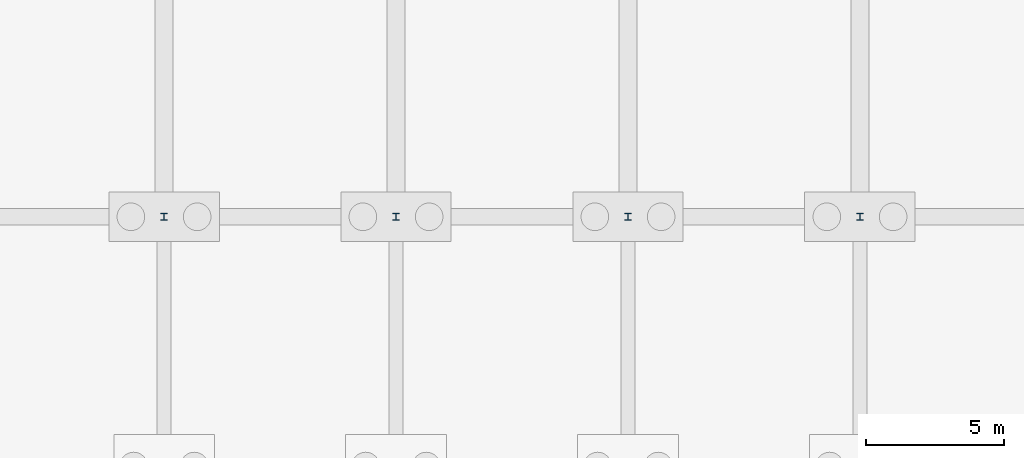
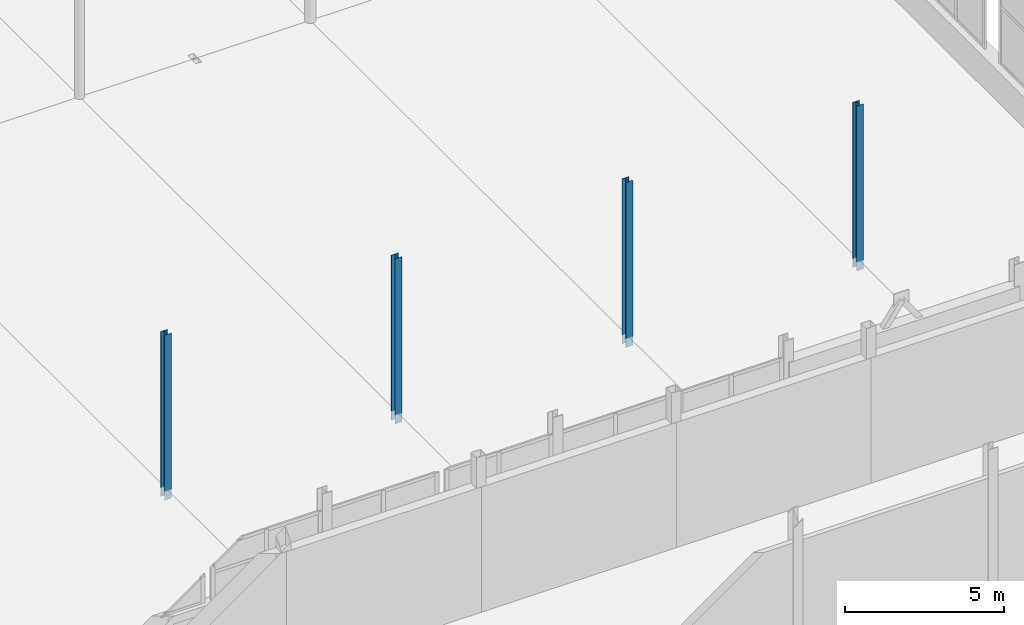
# One storey, part 43 of 139: 4 columns.
"""IFC4 building model written with IfcOpenShell, lengths in metres."""

from ifc_helpers import new_model, si_unit, direction, frame, origin, origin_2d, place, context, subcontext, project, spatial, i_section, extrude, material, material_profile, profile_set, type_object, element, save


model = new_model("IFC4")

# Units and contexts
model_context = context("Model", 3, precision=1e-05, world=origin(), true_north=direction((0.0, 1.0)))
body_context = subcontext(model_context, "Body", "Model", "MODEL_VIEW")
ifc_project = project(units=[si_unit("LENGTHUNIT", "METRE"), si_unit("AREAUNIT", "SQUARE_METRE"), si_unit("VOLUMEUNIT", "CUBIC_METRE"), si_unit("PLANEANGLEUNIT", "RADIAN"), si_unit("MASSUNIT", "GRAM", prefix="KILO")], contexts=[model_context])

# Site, building, storey
site_placement = place(None, origin())
site = spatial("IfcSite", under=ifc_project, at=site_placement, CompositionType="ELEMENT")
building_placement = place(site_placement, origin())
building = spatial("IfcBuilding", under=site, at=building_placement, Name="Kazenagashi Tramway Depot", CompositionType="ELEMENT")
storey_placement = place(building_placement, origin())
storey = spatial("IfcBuildingStorey", under=building, at=storey_placement, Name="L01", CompositionType="ELEMENT", Elevation=0.0)

# Columns
ifc_material = material(Name="Steel SN490B", Category="steel")
ifc_material_profile = material_profile(ifc_material, i_section(OverallWidth=0.25, OverallDepth=0.25, WebThickness=0.009, FlangeThickness=0.014, at=origin_2d()), Name="H-250x250x9x14")
ifc_profile_set = profile_set([ifc_material_profile], Name="Steel SN490B")
column_type = type_object("IfcColumnType", Name="C-06", PredefinedType="COLUMN", material=ifc_profile_set)
for number, where, z_axis, x_axis, name in (
    (1, (162.4, 80.0, -0.35), (0.0, 0.0, 1.0), (1.0, 0.0, 0.0), "Column C-06 COL-0129"),
    (2, (170.8, 80.0, -0.35), (0.0, 0.0, 1.0), (1.0, 0.0, 0.0), "Column C-06 COL-0130"),
    (3, (179.2, 80.0, -0.35), (0.0, 0.0, 1.0), (1.0, 0.0, 0.0), "Column C-06 COL-0131"),
    (4, (187.6, 80.0, -0.35), (0.0, 0.0, 1.0), (1.0, 0.0, 0.0), "Column C-06 COL-0132"),
):
    element("IfcColumn", number, at=place(storey_placement, frame(where, z_axis=z_axis, x_axis=x_axis)), inside=storey, type_object=column_type, Name=name, PredefinedType="COLUMN", context=body_context, shape_type="SweptSolid", body=[
        extrude(i_section(OverallWidth=0.25, OverallDepth=0.25, WebThickness=0.009, FlangeThickness=0.014, at=origin_2d()), origin(), (0.0, 0.0, 1.0), 6.35),
    ])

save(model, "model.ifc")
